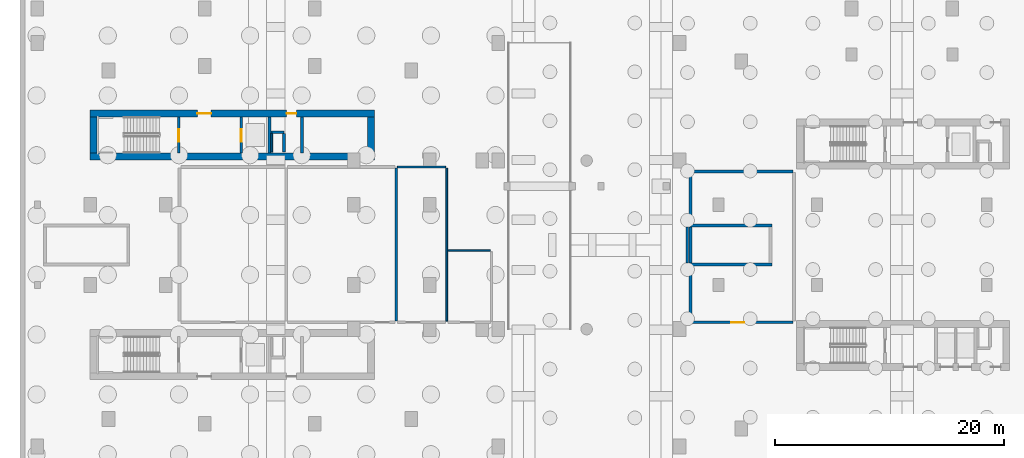
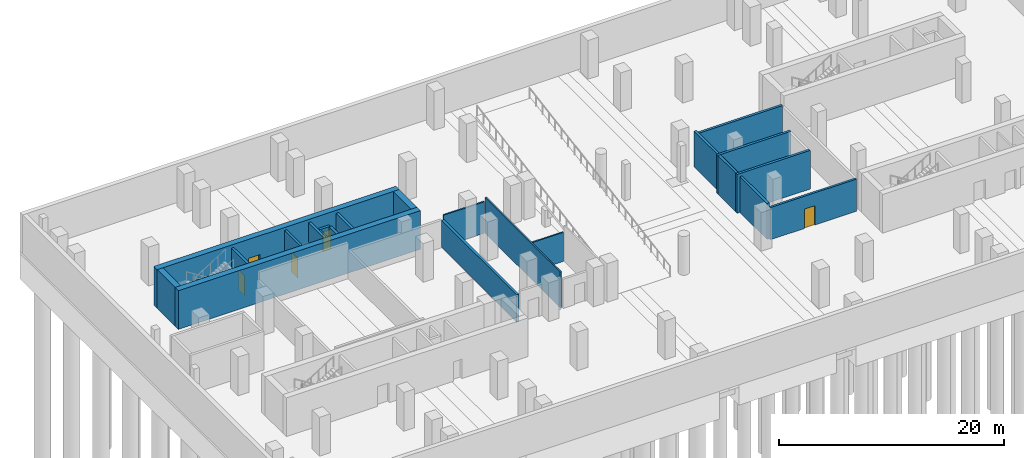
# One storey, part 6 of 14: 21 walls, 5 doors, 5 openings.
"""IFC4 building model written with IfcOpenShell, lengths in metres."""

from ifc_helpers import new_model, si_unit, derived_unit, direction, frame, frame_2d, origin, place, context, subcontext, project, spatial, rectangle, extrude, material, layer, layer_set, type_object, element, fill, save


model = new_model("IFC4")

# Units and contexts
model_context = context("Model", 3, precision=1e-05, world=origin(), true_north=direction((0.0, 1.0)))
body_context = subcontext(model_context, "Body", "Model", "MODEL_VIEW")
ifc_project = project(units=[si_unit("LENGTHUNIT", "METRE"), si_unit("AREAUNIT", "SQUARE_METRE"), si_unit("VOLUMEUNIT", "CUBIC_METRE"), si_unit("PLANEANGLEUNIT", "RADIAN"), si_unit("MASSUNIT", "GRAM", prefix="KILO"), derived_unit("THERMALTRANSMITTANCEUNIT", [(si_unit("POWERUNIT", "WATT"), 1), (si_unit("LENGTHUNIT", "METRE"), -2), (si_unit("THERMODYNAMICTEMPERATUREUNIT", "KELVIN"), -1)])], contexts=[model_context])

# Site, building, storey
site_placement = place(None, origin())
site = spatial("IfcSite", under=ifc_project, at=site_placement, CompositionType="ELEMENT")
building_placement = place(site_placement, origin())
building = spatial("IfcBuilding", under=site, at=building_placement, Name="Kivonza Crest Hotel", CompositionType="ELEMENT")
storey_placement = place(building_placement, frame((0.0, 0.0, -8.39990234375)))
storey = spatial("IfcBuildingStorey", under=building, at=storey_placement, Name="B2", CompositionType="ELEMENT", Elevation=-8.39990234375)

# Wall, opening, door
ifc_material_1 = material(Name="Autoclaved aerated concrete blockwork", Category="masonry")
ifc_layer_1 = layer(ifc_material_1, 0.219970703125)
ifc_layer_set_1 = layer_set([ifc_layer_1], Name="Autoclaved aerated concrete blockwork")
wall_type_1 = type_object("IfcWallType", Name="WL-ACOU-220", PredefinedType="SOLIDWALL", material=ifc_layer_set_1)
wall_1_placement = place(storey_placement, frame((58.64990234375, 18.25, 0.0), z_axis=(0.0, 0.0, 1.0), x_axis=(1.0, 0.0, 0.0)))
wall_1 = element("IfcWall", 1, at=wall_1_placement, inside=storey, type_object=wall_type_1, Name="B2 interior partition WA-B2-T2PL-S", PredefinedType="SOLIDWALL", context=body_context, shape_type="SweptSolid", body=[
    extrude(rectangle(XDim=8.85009765625, YDim=0.219970703125, at=frame_2d((4.425048828125, 0.0))), origin(), (0.0, 0.0, 1.0), 3.494873046875),
])
opening_1_placement = place(wall_1_placement, frame((3.47705078125, 0.0, 0.0)))
opening_1 = element("IfcOpeningElement", 2, at=opening_1_placement, cuts=wall_1, Name="Opening DF-60M", PredefinedType="OPENING", context=body_context, shape_type="SweptSolid", body=[
    extrude(rectangle(XDim=1.10009765625, YDim=2.10009765625, at=frame_2d((0.550048828125, 1.050048828125))), frame((0.0, 0.1201171875, 0.0), z_axis=(0.0, -1.0, 0.0), x_axis=(1.0, 0.0, 0.0)), (0.0, 0.0, 1.0), 0.239990234375),
])
ifc_material_2 = material(Name="Hardwood timber oak", Category="wood")
door_type_1 = type_object("IfcDoorType", Name="DR-FD60-1100", OperationType="NOTDEFINED", PredefinedType="DOOR", material=ifc_material_2)
door_1_placement = place(opening_1_placement, origin())
door_1 = element("IfcDoor", 3, at=door_1_placement, inside=storey, type_object=door_type_1, Name="B2 Companion Booster Plant Room door", OperationType="SINGLE_SWING_LEFT", OverallHeight=2.10009765625, OverallWidth=1.10009765625, PredefinedType="DOOR", context=body_context, shape_type="SweptSolid", body=[
    extrude(rectangle(XDim=1.10009765625, YDim=2.10009765625, at=frame_2d((0.550048828125, 1.050048828125))), frame((0.0, 0.02490234375, 0.0), z_axis=(0.0, -1.0, 0.0), x_axis=(1.0, 0.0, 0.0)), (0.0, 0.0, 1.0), 0.050048828125),
])
fill(opening_1, door_1)

# Wall
ifc_material_3 = material(Name="Concrete C60/75", Category="concrete")
ifc_layer_2 = layer(ifc_material_3, 0.60009765625)
ifc_layer_set_2 = layer_set([ifc_layer_2], Name="Concrete C60/75")
wall_type_2 = type_object("IfcWallType", Name="WL-CORE-600", PredefinedType="SHEAR", material=ifc_layer_set_2)
wall_2_placement = place(storey_placement, frame((6.199951171875, 32.699951171875, 0.0), z_axis=(0.0, 0.0, 1.0), x_axis=(1.0, 0.0, 0.0)))
element("IfcWall", 4, at=wall_2_placement, inside=storey, type_object=wall_type_2, Name="Core wall T1-N South B2", PredefinedType="SHEAR", context=body_context, shape_type="SweptSolid", body=[
    extrude(rectangle(XDim=24.800048828125, YDim=0.60009765625, at=frame_2d((12.39990234375, 0.0))), origin(), (0.0, 0.0, 1.0), 4.199951171875),
])

# Wall, openings, doors
wall_3_placement = place(storey_placement, frame((6.199951171875, 36.4599609375, 0.0), z_axis=(0.0, 0.0, 1.0), x_axis=(1.0, 0.0, 0.0)))
wall_3 = element("IfcWall", 5, at=wall_3_placement, inside=storey, type_object=wall_type_2, Name="Core wall T1-N North B2", PredefinedType="SHEAR", context=body_context, shape_type="SweptSolid", body=[
    extrude(rectangle(XDim=24.800048828125, YDim=0.60009765625, at=frame_2d((12.39990234375, 0.0))), origin(), (0.0, 0.0, 1.0), 4.199951171875),
])
opening_2_placement = place(wall_3_placement, frame((9.35009765625, 0.0, 0.0)))
opening_2 = element("IfcOpeningElement", 6, at=opening_2_placement, cuts=wall_3, Name="Opening DF-60", PredefinedType="OPENING", context=body_context, shape_type="SweptSolid", body=[
    extrude(rectangle(XDim=1.199951171875, YDim=2.14990234375, at=frame_2d((0.60009765625, 1.074951171875))), frame((0.0, 0.31005859375, 0.0), z_axis=(0.0, -1.0, 0.0), x_axis=(1.0, 0.0, 0.0)), (0.0, 0.0, 1.0), 0.6201171875),
])
opening_3_placement = place(wall_3_placement, frame((17.139892578125, 0.0, 0.0)))
opening_3 = element("IfcOpeningElement", 7, at=opening_3_placement, cuts=wall_3, Name="Opening DF-60R", PredefinedType="OPENING", context=body_context, shape_type="SweptSolid", body=[
    extrude(rectangle(XDim=0.85009765625, YDim=2.10009765625, at=frame_2d((0.425048828125, 1.050048828125))), frame((0.0, 0.31005859375, 0.0), z_axis=(0.0, -1.0, 0.0), x_axis=(1.0, 0.0, 0.0)), (0.0, 0.0, 1.0), 0.6201171875),
])
door_type_2 = type_object("IfcDoorType", Name="DR-FD60-1200", OperationType="NOTDEFINED", PredefinedType="DOOR", material=ifc_material_2)
door_2_placement = place(opening_2_placement, origin())
door_2 = element("IfcDoor", 8, at=door_2_placement, inside=storey, type_object=door_type_2, Name="B2 T1-N firefighting lobby fire door", OperationType="SINGLE_SWING_RIGHT", OverallHeight=2.14990234375, OverallWidth=1.199951171875, PredefinedType="DOOR", context=body_context, shape_type="SweptSolid", body=[
    extrude(rectangle(XDim=1.199951171875, YDim=2.14990234375, at=frame_2d((0.60009765625, 1.074951171875))), frame((0.0, 0.02490234375, 0.0), z_axis=(0.0, -1.0, 0.0), x_axis=(1.0, 0.0, 0.0)), (0.0, 0.0, 1.0), 0.050048828125),
])
fill(opening_2, door_2)
door_type_3 = type_object("IfcDoorType", Name="DR-FD60-850", OperationType="NOTDEFINED", PredefinedType="DOOR", material=ifc_material_2)
door_3_placement = place(opening_3_placement, origin())
door_3 = element("IfcDoor", 9, at=door_3_placement, inside=storey, type_object=door_type_3, Name="B2 T1-N core room door", OperationType="SINGLE_SWING_RIGHT", OverallHeight=2.10009765625, OverallWidth=0.85009765625, PredefinedType="DOOR", context=body_context, shape_type="SweptSolid", body=[
    extrude(rectangle(XDim=0.85009765625, YDim=2.10009765625, at=frame_2d((0.425048828125, 1.050048828125))), frame((0.0, 0.02490234375, 0.0), z_axis=(0.0, -1.0, 0.0), x_axis=(1.0, 0.0, 0.0)), (0.0, 0.0, 1.0), 0.050048828125),
])
fill(opening_3, door_3)

# Walls
for number, where, z_axis, x_axis, name in (
    (10, (6.5, 33.0, 0.0), (0.0, 0.0, 1.0), (0.0, 1.0, 0.0), "Core wall T1-N West B2"),
    (11, (30.699951171875, 33.0, 0.0), (0.0, 0.0, 1.0), (0.0, 1.0, 0.0), "Core wall T1-N East B2"),
):
    element("IfcWall", number, at=place(storey_placement, frame(where, z_axis=z_axis, x_axis=x_axis)), inside=storey, type_object=wall_type_2, Name=name, PredefinedType="SHEAR", context=body_context, shape_type="SweptSolid", body=[
        extrude(rectangle(XDim=3.159912109375, YDim=0.60009765625, at=frame_2d((1.580078125, 0.0))), origin(), (0.0, 0.0, 1.0), 4.199951171875),
    ])
ifc_material_4 = material(Name="Concrete blockwork fire-compartment wall", Category="masonry")
ifc_layer_3 = layer(ifc_material_4, 0.25)
ifc_layer_set_3 = layer_set([ifc_layer_3], Name="Concrete blockwork fire-compartment wall")
wall_type_3 = type_object("IfcWallType", Name="WL-FIRE-250", PredefinedType="SOLIDWALL", material=ifc_layer_set_3)
wall_4_placement = place(storey_placement, frame((23.10009765625, 33.10009765625, 0.0), z_axis=(0.0, 0.0, 1.0), x_axis=(0.0, 1.0, 0.0)))
element("IfcWall", 12, at=wall_4_placement, inside=storey, type_object=wall_type_3, Name="B2 interior partition WA-B2-T1-N-MEPR-E", PredefinedType="SOLIDWALL", context=body_context, shape_type="SweptSolid", body=[
    extrude(rectangle(XDim=1.619873046875, YDim=0.25, at=frame_2d((0.81005859375, 0.0))), origin(), (0.0, 0.0, 1.0), 3.8798828125),
])
wall_5_placement = place(storey_placement, frame((21.949951171875, 34.820068359375, 0.0), z_axis=(0.0, 0.0, 1.0), x_axis=(1.0, 0.0, 0.0)))
element("IfcWall", 13, at=wall_5_placement, inside=storey, type_object=wall_type_3, Name="B2 interior partition WA-B2-T1-N-MEPR-H", PredefinedType="SOLIDWALL", context=body_context, shape_type="SweptSolid", body=[
    extrude(rectangle(XDim=1.150146484375, YDim=0.25, at=frame_2d((0.5751953125, 0.0))), origin(), (0.0, 0.0, 1.0), 3.8798828125),
])
wall_6_placement = place(storey_placement, frame((32.89990234375, 18.35009765625, 0.0), z_axis=(0.0, 0.0, 1.0), x_axis=(0.0, 1.0, 0.0)))
element("IfcWall", 14, at=wall_6_placement, inside=storey, type_object=wall_type_3, Name="B2 interior partition WP-B2-GREY-BE", PredefinedType="SOLIDWALL", context=body_context, shape_type="SweptSolid", body=[
    extrude(rectangle(XDim=13.349853515625, YDim=0.25, at=frame_2d((6.6748046875, 0.0))), origin(), (0.0, 0.0, 1.0), 2.954833984375),
])
wall_7_placement = place(storey_placement, frame((58.550048828125, 18.35009765625, 0.0), z_axis=(0.0, 0.0, 1.0), x_axis=(0.0, 1.0, 0.0)))
element("IfcWall", 15, at=wall_7_placement, inside=storey, type_object=wall_type_3, Name="B2 interior partition WP-B2-T2PL-BW", PredefinedType="SOLIDWALL", context=body_context, shape_type="SweptSolid", body=[
    extrude(rectangle(XDim=12.949951171875, YDim=0.25, at=frame_2d((6.47509765625, 0.0))), origin(), (0.0, 0.0, 1.0), 3.8798828125),
])
wall_8_placement = place(storey_placement, frame((58.64990234375, 31.39990234375, 0.0), z_axis=(0.0, 0.0, 1.0), x_axis=(1.0, 0.0, 0.0)))
element("IfcWall", 16, at=wall_8_placement, inside=storey, type_object=wall_type_3, Name="B2 interior partition WP-B2-T2PL-BN", PredefinedType="SOLIDWALL", context=body_context, shape_type="SweptSolid", body=[
    extrude(rectangle(XDim=8.85009765625, YDim=0.25, at=frame_2d((4.425048828125, 0.0))), origin(), (0.0, 0.0, 1.0), 3.494873046875),
])
ifc_material_5 = material(Name="Twin-stud acoustic gypsum board partition", Category="gypsum")
ifc_layer_4 = layer(ifc_material_5, 0.14990234375)
ifc_layer_set_4 = layer_set([ifc_layer_4], Name="Twin-stud acoustic gypsum board partition")
wall_type_4 = type_object("IfcWallType", Name="WL-PART-150", PredefinedType="PARTITIONING", material=ifc_layer_set_4)
wall_9_placement = place(storey_placement, frame((22.030029296875, 33.10009765625, 0.0), z_axis=(0.0, 0.0, 1.0), x_axis=(0.0, 1.0, 0.0)))
element("IfcWall", 17, at=wall_9_placement, inside=storey, type_object=wall_type_4, Name="B2 interior partition WA-B2-T1-N-MEPR-W", PredefinedType="PARTITIONING", context=body_context, shape_type="SweptSolid", body=[
    extrude(rectangle(XDim=1.619873046875, YDim=0.14990234375, at=frame_2d((0.81005859375, 0.0))), origin(), (0.0, 0.0, 1.0), 3.8798828125),
])
wall_10_placement = place(storey_placement, frame((37.300048828125, 18.35009765625, 0.0), z_axis=(0.0, 0.0, 1.0), x_axis=(0.0, 1.0, 0.0)))
element("IfcWall", 18, at=wall_10_placement, inside=storey, type_object=wall_type_4, Name="B2 interior partition WP-B2-STOR-BE", PredefinedType="PARTITIONING", context=body_context, shape_type="SweptSolid", body=[
    extrude(rectangle(XDim=13.349853515625, YDim=0.14990234375, at=frame_2d((6.6748046875, 0.0))), origin(), (0.0, 0.0, 1.0), 3.8798828125),
])
wall_11_placement = place(storey_placement, frame((33.0, 31.800048828125, 0.0), z_axis=(0.0, 0.0, 1.0), x_axis=(1.0, 0.0, 0.0)))
element("IfcWall", 19, at=wall_11_placement, inside=storey, type_object=wall_type_4, Name="B2 interior partition WP-B2-STOR-BN", PredefinedType="PARTITIONING", context=body_context, shape_type="SweptSolid", body=[
    extrude(rectangle(XDim=4.199951171875, YDim=0.14990234375, at=frame_2d((2.10009765625, 0.0))), origin(), (0.0, 0.0, 1.0), 3.40478515625),
])
wall_12_placement = place(storey_placement, frame((37.39990234375, 24.5, 0.0), z_axis=(0.0, 0.0, 1.0), x_axis=(1.0, 0.0, 0.0)))
element("IfcWall", 20, at=wall_12_placement, inside=storey, type_object=wall_type_4, Name="B2 interior partition WP-B2-AWC-BN", PredefinedType="PARTITIONING", context=body_context, shape_type="SweptSolid", body=[
    extrude(rectangle(XDim=3.7001953125, YDim=0.14990234375, at=frame_2d((1.85009765625, 0.0))), origin(), (0.0, 0.0, 1.0), 3.15478515625),
])

# Wall, opening, door
ifc_material_6 = material(Name="Concrete C50/60", Category="concrete")
ifc_layer_5 = layer(ifc_material_6, 0.25)
ifc_layer_set_5 = layer_set([ifc_layer_5], Name="Concrete C50/60")
wall_type_5 = type_object("IfcWallType", Name="WL-SHAFT-250", PredefinedType="STANDARD", material=ifc_layer_set_5)
wall_13_placement = place(storey_placement, frame((13.925048828125, 33.0, 0.0), z_axis=(0.0, 0.0, 1.0), x_axis=(0.0, 1.0, 0.0)))
wall_13 = element("IfcWall", 21, at=wall_13_placement, inside=storey, type_object=wall_type_5, Name="Core shaft wall T1-N STAIR B2", PredefinedType="STANDARD", context=body_context, shape_type="SweptSolid", body=[
    extrude(rectangle(XDim=3.159912109375, YDim=0.25, at=frame_2d((1.580078125, 0.0))), origin(), (0.0, 0.0, 1.0), 3.8798828125),
])
opening_4_placement = place(wall_13_placement, frame((0.97998046875, 0.0, 0.0)))
opening_4 = element("IfcOpeningElement", 22, at=opening_4_placement, cuts=wall_13, Name="Opening DF-120", PredefinedType="OPENING", context=body_context, shape_type="SweptSolid", body=[
    extrude(rectangle(XDim=1.10009765625, YDim=2.14990234375, at=frame_2d((0.550048828125, 1.074951171875))), frame((0.0, 0.135009765625, 0.0), z_axis=(0.0, -1.0, 0.0), x_axis=(1.0, 0.0, 0.0)), (0.0, 0.0, 1.0), 0.27001953125),
])
ifc_material_7 = material(Name="Galvanised steel", Category="steel")
door_type_4 = type_object("IfcDoorType", Name="DR-FD120-1100", OperationType="NOTDEFINED", PredefinedType="DOOR", material=ifc_material_7)
door_4_placement = place(opening_4_placement, frame((1.10009765625, 0.0, 0.0), z_axis=(0.0, 0.0, 1.0), x_axis=(-1.0, 0.0, 0.0)))
door_4 = element("IfcDoor", 23, at=door_4_placement, inside=storey, type_object=door_type_4, Name="B2 T1-N stair fire door", OperationType="SINGLE_SWING_LEFT", OverallHeight=2.14990234375, OverallWidth=1.10009765625, PredefinedType="DOOR", context=body_context, shape_type="SweptSolid", body=[
    extrude(rectangle(XDim=1.10009765625, YDim=2.14990234375, at=frame_2d((0.550048828125, 1.074951171875))), frame((0.0, 0.02490234375, 0.0), z_axis=(0.0, -1.0, 0.0), x_axis=(1.0, 0.0, 0.0)), (0.0, 0.0, 1.0), 0.050048828125),
])
fill(opening_4, door_4)

wall_14_placement = place(storey_placement, frame((19.375, 33.0, 0.0), z_axis=(0.0, 0.0, 1.0), x_axis=(0.0, 1.0, 0.0)))
wall_14 = element("IfcWall", 24, at=wall_14_placement, inside=storey, type_object=wall_type_5, Name="Core shaft wall T1-N FFL-W B2", PredefinedType="STANDARD", context=body_context, shape_type="SweptSolid", body=[
    extrude(rectangle(XDim=3.159912109375, YDim=0.25, at=frame_2d((1.580078125, 0.0))), origin(), (0.0, 0.0, 1.0), 3.8798828125),
])
opening_5_placement = place(wall_14_placement, frame((0.97998046875, 0.0, 0.0)))
opening_5 = element("IfcOpeningElement", 25, at=opening_5_placement, cuts=wall_14, Name="Opening LD-120", PredefinedType="OPENING", context=body_context, shape_type="SweptSolid", body=[
    extrude(rectangle(XDim=1.10009765625, YDim=2.14990234375, at=frame_2d((0.550048828125, 1.074951171875))), frame((0.0, 0.135009765625, 0.0), z_axis=(0.0, -1.0, 0.0), x_axis=(1.0, 0.0, 0.0)), (0.0, 0.0, 1.0), 0.27001953125),
])
ifc_material_8 = material(Name="Stainless steel", Category="steel")
door_type_5 = type_object("IfcDoorType", Name="DR-LD120-1100", OperationType="NOTDEFINED", PredefinedType="DOOR", material=ifc_material_8)
door_5_placement = place(opening_5_placement, origin())
door_5 = element("IfcDoor", 26, at=door_5_placement, inside=storey, type_object=door_type_5, Name="B2 FFL-T1-N firefighting lift sliding landing door", OperationType="DOUBLE_DOOR_SLIDING", OverallHeight=2.14990234375, OverallWidth=1.10009765625, PredefinedType="DOOR", context=body_context, shape_type="SweptSolid", body=[
    extrude(rectangle(XDim=1.10009765625, YDim=2.14990234375, at=frame_2d((0.550048828125, 1.074951171875))), frame((0.0, 0.02490234375, 0.0), z_axis=(0.0, -1.0, 0.0), x_axis=(1.0, 0.0, 0.0)), (0.0, 0.0, 1.0), 0.050048828125),
])
fill(opening_5, door_5)

# Walls
for number, where, z_axis, x_axis, name in (
    (27, (21.824951171875, 33.0, 0.0), (0.0, 0.0, 1.0), (0.0, 1.0, 0.0), "Core shaft wall T1-N FFL-E B2"),
    (28, (24.675048828125, 33.0, 0.0), (0.0, 0.0, 1.0), (0.0, 1.0, 0.0), "Core shaft wall T1-N BANK-W B2"),
):
    element("IfcWall", number, at=place(storey_placement, frame(where, z_axis=z_axis, x_axis=x_axis)), inside=storey, type_object=wall_type_5, Name=name, PredefinedType="STANDARD", context=body_context, shape_type="SweptSolid", body=[
        extrude(rectangle(XDim=3.159912109375, YDim=0.25, at=frame_2d((1.580078125, 0.0))), origin(), (0.0, 0.0, 1.0), 3.8798828125),
    ])
for number, where, z_axis, x_axis, name in (
    (29, (58.14990234375, 23.294921875, 0.0), (0.0, 0.0, 1.0), (1.0, 0.0, 0.0), "Podium stair enclosure wall ST-POD-E S B2"),
    (30, (58.14990234375, 26.705078125, 0.0), (0.0, 0.0, 1.0), (1.0, 0.0, 0.0), "Podium stair enclosure wall ST-POD-E N B2"),
):
    element("IfcWall", number, at=place(storey_placement, frame(where, z_axis=z_axis, x_axis=x_axis)), inside=storey, type_object=wall_type_5, Name=name, PredefinedType="STANDARD", context=body_context, shape_type="SweptSolid", body=[
        extrude(rectangle(XDim=7.5, YDim=0.25, at=frame_2d((3.75, 0.0))), origin(), (0.0, 0.0, 1.0), 4.199951171875),
    ])
wall_15_placement = place(storey_placement, frame((58.27490234375, 23.419921875, 0.0), z_axis=(0.0, 0.0, 1.0), x_axis=(0.0, 1.0, 0.0)))
element("IfcWall", 31, at=wall_15_placement, inside=storey, type_object=wall_type_5, Name="Podium stair enclosure wall ST-POD-E W B2", PredefinedType="STANDARD", context=body_context, shape_type="SweptSolid", body=[
    extrude(rectangle(XDim=3.16015625, YDim=0.25, at=frame_2d((1.580078125, 0.0))), origin(), (0.0, 0.0, 1.0), 4.199951171875),
])

save(model, "model.ifc")
